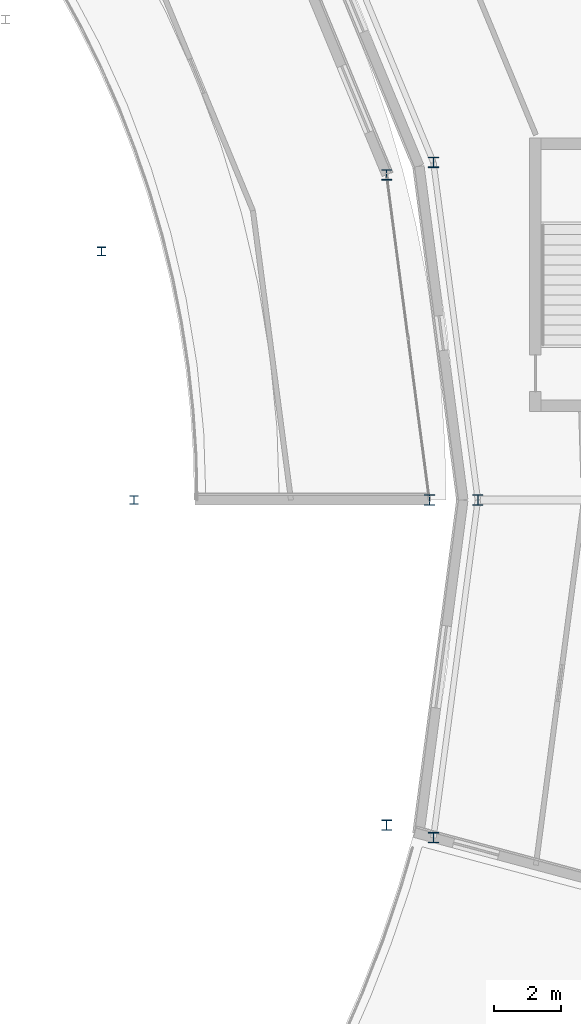
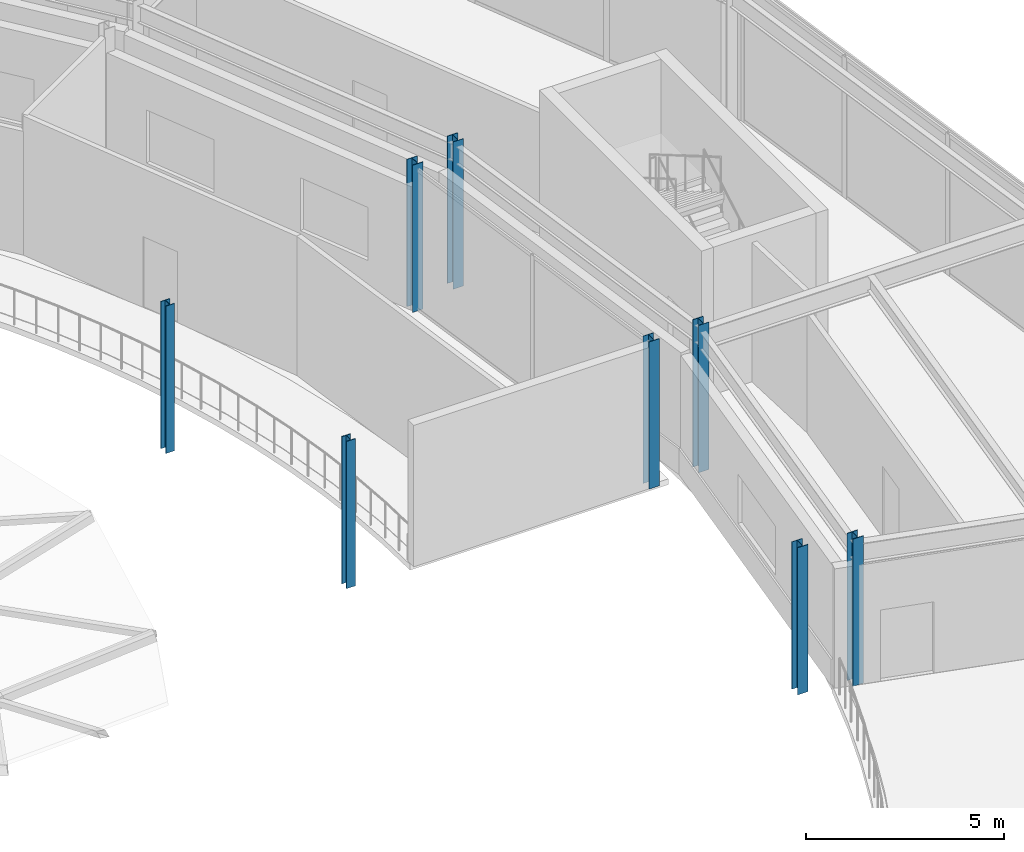
# One storey, part 6 of 116: 8 columns.
"""IFC4 building model written with IfcOpenShell, lengths in metres."""

import ifcopenshell
import ifcopenshell.guid

model = None  # the IFC model being written
_history = None  # IfcOwnerHistory: only IFC2X3 demands one
_inside = {}  # id of a spatial element -> (the spatial element, [elements in it])
_under = {}  # id of a project, library or spatial element -> (it, [spatial elements below it])
_declared = {}  # id of a project -> (the project, [libraries it declares])
_typed = {}  # id of a type object -> (the type object, [elements of that type])
_made_of = {}  # id of a material, layer set ... -> (it, [elements and type objects made of it])


def new_model(schema):
    """Start an empty IFC model of exactly this schema.

    Asked for "IFC4X3", IfcOpenShell would pick the latest addendum, in which some entities
    have other attributes; the version numbers below select the first issue.
    IFC2X3 requires an IfcOwnerHistory on every rooted entity: one is made here for all.
    """
    global model, _history
    if schema == "IFC4X3":
        model = ifcopenshell.file(schema_version=(4, 3, 0, 0))
    else:
        model = ifcopenshell.file(schema=schema)
    _inside.clear()
    _under.clear()
    _declared.clear()
    _typed.clear()
    _made_of.clear()
    _history = None
    if model.schema == "IFC2X3":
        org = make("IfcOrganization", Name="unknown")
        user = make(
            "IfcPersonAndOrganization",
            ThePerson=make("IfcPerson", FamilyName="unknown"),
            TheOrganization=org,
        )
        app = make(
            "IfcApplication",
            ApplicationDeveloper=org,
            Version="unknown",
            ApplicationFullName="unknown",
            ApplicationIdentifier="unknown",
        )
        _history = make(
            "IfcOwnerHistory",
            OwningUser=user,
            OwningApplication=app,
            ChangeAction="ADDED",
            CreationDate=0,
        )
    return model


def make(cls, **values):
    """One entity of the class cls with the attributes given. An attribute that is None is left unset."""
    return model.create_entity(
        cls, **{name: value for name, value in values.items() if value is not None}
    )


def rooted(cls, **values):
    """An entity with a GlobalId (a new one), such as an element, a storey or a relation."""
    return make(cls, GlobalId=ifcopenshell.guid.new(), OwnerHistory=_history, **values)


def si_unit(unit_type, name, prefix=None):
    """IfcSIUnit, for example si_unit("LENGTHUNIT", "METRE", prefix="MILLI")."""
    return make("IfcSIUnit", UnitType=unit_type, Prefix=prefix, Name=name)


def assignment(units):
    """IfcUnitAssignment: the units of a project."""
    return None if units is None else make("IfcUnitAssignment", Units=units)


def point(xyz):
    """IfcCartesianPoint."""
    return None if xyz is None else make("IfcCartesianPoint", Coordinates=xyz)


def direction(xyz):
    """IfcDirection."""
    return None if xyz is None else make("IfcDirection", DirectionRatios=xyz)


def frame(location, z_axis=None, x_axis=None):
    """IfcAxis2Placement3D, a coordinate frame: its origin and axes. An axis left out is left unset."""
    return make(
        "IfcAxis2Placement3D",
        Location=point(location),
        Axis=direction(z_axis),
        RefDirection=direction(x_axis),
    )


def frame_2d(location, x_axis=None):
    """IfcAxis2Placement2D, a coordinate frame in the plane: its origin and x axis."""
    return make(
        "IfcAxis2Placement2D", Location=point(location), RefDirection=direction(x_axis)
    )


def origin():
    """The frame at (0, 0, 0) with its axes left unset."""
    return frame((0.0, 0.0, 0.0))


def origin_2d():
    """The frame at (0, 0) in the plane with its x axis left unset."""
    return frame_2d((0.0, 0.0))


def place(relative_to, where):
    """IfcLocalPlacement: puts the frame where relative to a parent placement (None: the world)."""
    return make(
        "IfcLocalPlacement", PlacementRelTo=relative_to, RelativePlacement=where
    )


def context(
    kind, dimensions, precision=None, world=None, true_north=None, identifier=None
):
    """IfcGeometricRepresentationContext, for example the 3D "Model" context."""
    return make(
        "IfcGeometricRepresentationContext",
        ContextIdentifier=identifier,
        ContextType=kind,
        CoordinateSpaceDimension=dimensions,
        Precision=precision,
        WorldCoordinateSystem=world,
        TrueNorth=true_north,
    )


def subcontext(parent, identifier, kind, view, scale=None):
    """IfcGeometricRepresentationSubContext, for example "Body" below "Model"."""
    return make(
        "IfcGeometricRepresentationSubContext",
        ContextIdentifier=identifier,
        ContextType=kind,
        ParentContext=parent,
        TargetScale=scale,
        TargetView=view,
    )


def project(units=None, contexts=None):
    """IfcProject with its units and contexts."""
    return rooted(
        "IfcProject",
        Name="project",
        RepresentationContexts=contexts,
        UnitsInContext=assignment(units),
    )


def spatial(cls, under=None, at=None, **own):
    """A site, building, storey or space (cls), placed at a placement, below another one or the project."""
    s = rooted(cls, ObjectPlacement=at, **own)
    if under is not None:
        _under.setdefault(under.id(), (under, []))[1].append(s)
    return s


def profile(cls, at=None, kind="AREA", **sizes):
    """A parametric profile (cls). Its sizes go by their IFC names, for example OverallWidth=200.0."""
    return make(cls, ProfileType=kind, Position=at, **sizes)


def i_section(**sizes):
    """IfcIShapeProfileDef."""
    return profile("IfcIShapeProfileDef", **sizes)


def extrude(swept, where, along, depth):
    """IfcExtrudedAreaSolid: the profile swept, set in the frame where, extruded along a direction by depth."""
    return make(
        "IfcExtrudedAreaSolid",
        SweptArea=swept,
        Position=where,
        ExtrudedDirection=direction(along),
        Depth=depth,
    )


def shape(context_of_items, identifier, shape_type, items):
    """IfcShapeRepresentation: the items that make up one representation, for example the "Body"."""
    return make(
        "IfcShapeRepresentation",
        ContextOfItems=context_of_items,
        RepresentationIdentifier=identifier,
        RepresentationType=shape_type,
        Items=items,
    )


def material(Name=None, Category=None):
    """IfcMaterial."""
    return make("IfcMaterial", Name=Name, Category=Category)


def material_profile(
    of_material, cross_section, Name=None, Category=None, Priority=None
):
    """IfcMaterialProfile: a cross section and its material."""
    return make(
        "IfcMaterialProfile",
        Name=Name,
        Material=of_material,
        Profile=cross_section,
        Priority=Priority,
        Category=Category,
    )


def profile_set(profiles, Name=None, composite=None):
    """IfcMaterialProfileSet."""
    return make(
        "IfcMaterialProfileSet",
        Name=Name,
        MaterialProfiles=profiles,
        CompositeProfile=composite,
    )


def made_of(thing, what):
    """Note that an element or type object is made of a material, layer set ...; save() writes the relation."""
    if what is not None:
        _made_of.setdefault(what.id(), (what, []))[1].append(thing)
    return thing


def type_object(cls, material=None, **own):
    """A type object (cls), such as IfcWallType, which elements share."""
    return made_of(rooted(cls, **own), material)


def element(
    cls,
    number,
    at=None,
    inside=None,
    cuts=None,
    type_object=None,
    material=None,
    context=None,
    identifier="Body",
    shape_type=None,
    held_by="IfcProductDefinitionShape",
    body=None,
    shapes=None,
    **own,
):
    """One element of the class cls, such as IfcWall. Its Tag is "e" and its number.

    at: its placement. inside: the storey or other place that contains it. cuts: it is an
    opening in that element (IfcRelVoidsElement). A single representation is given by context,
    identifier, shape_type and body (its items); several are given by shapes. held_by: the class
    of the entity that holds the representations. save() writes the other relations.
    """
    e = rooted(cls, Tag="e%d" % number, ObjectPlacement=at, **own)
    if body is not None:
        shapes = [shape(context, identifier, shape_type, body)]
    if shapes is not None:
        e.Representation = make(held_by, Representations=shapes)
    if inside is not None:
        _inside.setdefault(inside.id(), (inside, []))[1].append(e)
    if cuts is not None:
        rooted(
            "IfcRelVoidsElement", RelatingBuildingElement=cuts, RelatedOpeningElement=e
        )
    if type_object is not None:
        _typed.setdefault(type_object.id(), (type_object, []))[1].append(e)
    return made_of(e, material)


def aggregate(whole, parts):
    """IfcRelAggregates: a whole, such as a stair, and the parts it consists of."""
    return rooted("IfcRelAggregates", RelatingObject=whole, RelatedObjects=parts)


def save(model, path):
    """Write the relations noted so far, then the file.

    IfcRelAggregates (storeys below a building ...), IfcRelContainedInSpatialStructure (elements
    in a storey), IfcRelDefinesByType, IfcRelAssociatesMaterial and IfcRelDeclares: one each for
    every whole, place, type object, material and project.
    """
    for whole, parts in _under.values():
        aggregate(whole, parts)
    for where, things in _inside.values():
        rooted(
            "IfcRelContainedInSpatialStructure",
            RelatedElements=things,
            RelatingStructure=where,
        )
    for kind, things in _typed.values():
        rooted("IfcRelDefinesByType", RelatedObjects=things, RelatingType=kind)
    for what, things in _made_of.values():
        rooted("IfcRelAssociatesMaterial", RelatedObjects=things, RelatingMaterial=what)
    for by, libraries in _declared.values():
        rooted("IfcRelDeclares", RelatingContext=by, RelatedDefinitions=libraries)
    model.write(path)


model = new_model("IFC4")

# Units and contexts
model_context = context("Model", 3, precision=1e-05, world=origin(), true_north=direction((0.0, 1.0)))
body_context = subcontext(model_context, "Body", "Model", "MODEL_VIEW")
ifc_project = project(units=[si_unit("LENGTHUNIT", "METRE"), si_unit("AREAUNIT", "SQUARE_METRE"), si_unit("VOLUMEUNIT", "CUBIC_METRE"), si_unit("PLANEANGLEUNIT", "RADIAN"), si_unit("MASSUNIT", "GRAM", prefix="KILO")], contexts=[model_context])

# Site, building, storey
site_placement = place(None, origin())
site = spatial("IfcSite", under=ifc_project, at=site_placement, CompositionType="ELEMENT")
building_placement = place(site_placement, origin())
building = spatial("IfcBuilding", under=site, at=building_placement, Name="Almandine Court Research Institute", CompositionType="ELEMENT")
storey_placement = place(building_placement, frame((0.0, 0.0, 14.35009765625)))
storey = spatial("IfcBuildingStorey", under=building, at=storey_placement, Name="L03", CompositionType="ELEMENT", Elevation=14.35009765625)

# Columns
ifc_material = material(Name="Steel ASTM A992 Grade 50", Category="steel")
ifc_material_profile_1 = material_profile(ifc_material, i_section(OverallWidth=0.305908203125, OverallDepth=0.31103515625, WebThickness=0.010986328125, FlangeThickness=0.01708984375, at=origin_2d()), Name="W310x107")
ifc_profile_set_1 = profile_set([ifc_material_profile_1], Name="Steel ASTM A992 Grade 50")
column_type_1 = type_object("IfcColumnType", Name="Col-C-W08", PredefinedType="COLUMN", material=ifc_profile_set_1)
for number, where, z_axis, x_axis, name in (
    (1, (124.64990234375, 56.0, 0.0), (0.0, 0.0, 1.0), (1.0, 0.0, 0.0), "L03 V2 Column V2-OUT-S00"),
    (2, (123.366943359375, 65.7451171875, 0.0), (0.0, 0.0, 1.0), (1.0, 0.0, 0.0), "L03 V2 Column V2-OUT-S01"),
    (3, (123.366943359375, 46.2548828125, 0.0), (0.0, 0.0, 1.0), (1.0, 0.0, 0.0), "L03 V2 Column V2-OUT-S23"),
):
    element("IfcColumn", number, at=place(storey_placement, frame(where, z_axis=z_axis, x_axis=x_axis)), inside=storey, type_object=column_type_1, Name=name, PredefinedType="COLUMN", context=body_context, shape_type="SweptSolid", body=[
        extrude(i_section(OverallWidth=0.305908203125, OverallDepth=0.31103515625, WebThickness=0.010986328125, FlangeThickness=0.01708984375, at=origin_2d()), origin(), (0.0, 0.0, 1.0), 4.5498046875),
    ])
ifc_material_profile_2 = material_profile(ifc_material, i_section(OverallWidth=0.305908203125, OverallDepth=0.31103515625, WebThickness=0.010986328125, FlangeThickness=0.01708984375, at=origin_2d()), Name="W310x107")
ifc_profile_set_2 = profile_set([ifc_material_profile_2], Name="Steel ASTM A992 Grade 50")
column_type_2 = type_object("IfcColumnType", Name="Col-C-W08-E", PredefinedType="COLUMN", material=ifc_profile_set_2)
for number, where, z_axis, x_axis, name in (
    (4, (126.10009765625, 56.0, 0.0), (0.0, 0.0, 1.0), (1.0, 0.0, 0.0), "L03 V5 Column V5-IN-S00"),
    (5, (124.76806640625, 66.1201171875, 0.0), (0.0, 0.0, 1.0), (1.0, 0.0, 0.0), "L03 V5 Column V5-IN-S01"),
    (6, (124.76806640625, 45.8798828125, 0.0), (0.0, 0.0, 1.0), (1.0, 0.0, 0.0), "L03 V5 Column V5-IN-S23"),
):
    element("IfcColumn", number, at=place(storey_placement, frame(where, z_axis=z_axis, x_axis=x_axis)), inside=storey, type_object=column_type_2, Name=name, PredefinedType="COLUMN", context=body_context, shape_type="SweptSolid", body=[
        extrude(i_section(OverallWidth=0.305908203125, OverallDepth=0.31103515625, WebThickness=0.010986328125, FlangeThickness=0.01708984375, at=origin_2d()), origin(), (0.0, 0.0, 1.0), 4.5498046875),
    ])
ifc_material_profile_3 = material_profile(ifc_material, i_section(OverallWidth=0.257080078125, OverallDepth=0.263916015625, WebThickness=0.011962890625, FlangeThickness=0.02001953125, at=origin_2d()), Name="W250x101")
ifc_profile_set_3 = profile_set([ifc_material_profile_3], Name="Steel ASTM A992 Grade 50")
column_type_3 = type_object("IfcColumnType", Name="Col-C-W09", PredefinedType="COLUMN", material=ifc_profile_set_3)
for number, where, z_axis, x_axis, name in (
    (7, (115.800048828125, 56.0, 0.0), (0.0, 0.0, 1.0), (1.0, 0.0, 0.0), "L03 V2 Column V2-MID-S00"),
    (8, (114.819091796875, 63.4541015625, 0.0), (0.0, 0.0, 1.0), (1.0, 0.0, 0.0), "L03 V2 Column V2-MID-S01"),
):
    element("IfcColumn", number, at=place(storey_placement, frame(where, z_axis=z_axis, x_axis=x_axis)), inside=storey, type_object=column_type_3, Name=name, PredefinedType="COLUMN", context=body_context, shape_type="SweptSolid", body=[
        extrude(i_section(OverallWidth=0.257080078125, OverallDepth=0.263916015625, WebThickness=0.011962890625, FlangeThickness=0.02001953125, at=origin_2d()), origin(), (0.0, 0.0, 1.0), 4.5498046875),
    ])

save(model, "model.ifc")
